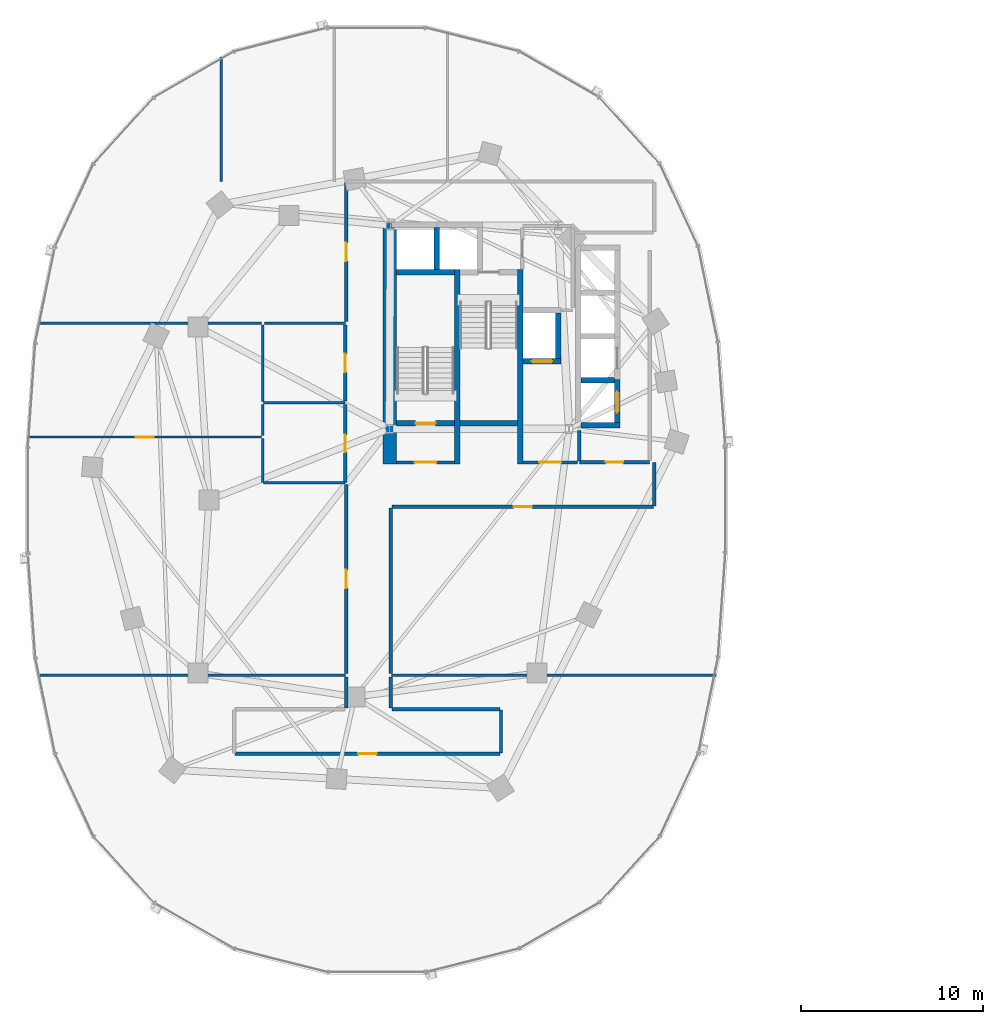
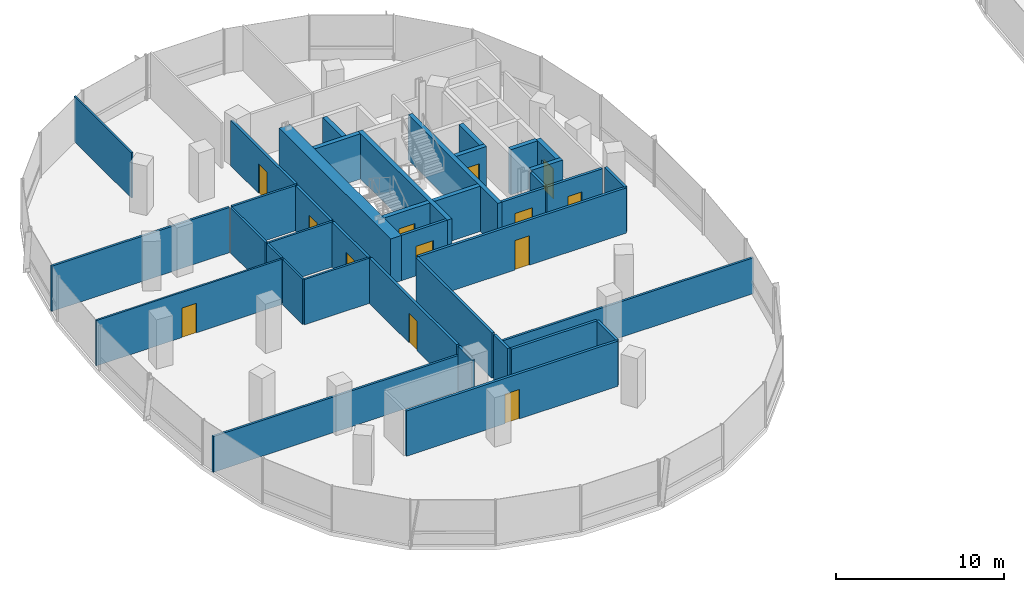
# One storey, part 11 of 21: 39 walls, 13 doors, 13 openings.
"""IFC4 building model written with IfcOpenShell, lengths in metres."""

from ifc_helpers import new_model, si_unit, direction, frame, frame_2d, origin, place, context, subcontext, project, spatial, rectangle, extrude, material, layer, layer_set, type_object, element, fill, save


model = new_model("IFC4")

# Units and contexts
model_context = context("Model", 3, precision=1e-05, world=origin(), true_north=direction((0.0, 1.0)))
body_context = subcontext(model_context, "Body", "Model", "MODEL_VIEW")
ifc_project = project(units=[si_unit("LENGTHUNIT", "METRE"), si_unit("AREAUNIT", "SQUARE_METRE"), si_unit("VOLUMEUNIT", "CUBIC_METRE"), si_unit("PLANEANGLEUNIT", "RADIAN"), si_unit("MASSUNIT", "GRAM", prefix="KILO"), si_unit("THERMODYNAMICTEMPERATUREUNIT", "KELVIN"), si_unit("POWERUNIT", "WATT")], contexts=[model_context])

# Site, building, storey
site_placement = place(None, origin())
site = spatial("IfcSite", under=ifc_project, at=site_placement, CompositionType="ELEMENT")
building_placement = place(site_placement, origin())
building = spatial("IfcBuilding", under=site, at=building_placement, Name="Cundina Bronze Exchange", CompositionType="ELEMENT")
storey_placement = place(building_placement, frame((0.0, 0.0, 99.800048828125)))
storey = spatial("IfcBuildingStorey", under=building, at=storey_placement, Name="L25", CompositionType="ELEMENT", Elevation=99.800048828125)

# Wall
ifc_material_1 = material(Name="Gypsum Fireboard Partition EI120")
ifc_layer_1 = layer(ifc_material_1, 0.179931640625, Name="Gypsum Fireboard Partition EI120")
ifc_layer_set_1 = layer_set([ifc_layer_1], Name="Gypsum Fireboard Partition EI120")
wall_type_1 = type_object("IfcWallType", Name="WL-COR-180", PredefinedType="PARTITIONING", material=ifc_layer_set_1)
wall_1_placement = place(storey_placement, frame((-20.889892578125, 2.14990234375, 0.0), z_axis=(0.0, 0.0, 1.0), x_axis=(0.0, 1.0, 0.0)))
element("IfcWall", 1, at=wall_1_placement, inside=storey, type_object=wall_type_1, Name="L25 W Firefighting Lobby Side Wall", PredefinedType="PARTITIONING", context=body_context, shape_type="SweptSolid", body=[
    extrude(rectangle(XDim=1.650146484375, YDim=0.179931640625, at=frame_2d((0.8251953125, 0.0))), origin(), (0.0, 0.0, 1.0), 3.300048828125),
])

# Wall, opening, door
wall_2_placement = place(storey_placement, frame((-23.97998046875, 2.06005859375, 0.0), z_axis=(0.0, 0.0, 1.0), x_axis=(1.0, 0.0, 0.0)))
wall_2 = element("IfcWall", 2, at=wall_2_placement, inside=storey, type_object=wall_type_1, Name="L25 W Firefighting Lobby Exit Wall", PredefinedType="PARTITIONING", context=body_context, shape_type="SweptSolid", body=[
    extrude(rectangle(XDim=3.0, YDim=0.179931640625, at=frame_2d((1.5, 0.0))), origin(), (0.0, 0.0, 1.0), 3.300048828125),
])
opening_1_placement = place(wall_2_placement, frame((0.89990234375, 0.0, 0.0)))
opening_1 = element("IfcOpeningElement", 3, at=opening_1_placement, cuts=wall_2, Name="Opening DF-01", PredefinedType="OPENING", context=body_context, shape_type="SweptSolid", body=[
    extrude(rectangle(XDim=1.199951171875, YDim=2.14990234375, at=frame_2d((0.60009765625, 1.074951171875))), frame((0.0, 0.099853515625, 0.0), z_axis=(0.0, -1.0, 0.0), x_axis=(1.0, 0.0, 0.0)), (0.0, 0.0, 1.0), 0.199951171875),
])
ifc_material_2 = material(Name="Steel ASTM A36 Painted", Category="steel")
door_type_1 = type_object("IfcDoorType", Name="DR-FFL-1200", OperationType="NOTDEFINED", PredefinedType="DOOR", material=ifc_material_2)
door_1_placement = place(opening_1_placement, origin())
door_1 = element("IfcDoor", 4, at=door_1_placement, inside=storey, type_object=door_type_1, Name="L25 W Firefighting Lobby Door", OperationType="SINGLE_SWING_RIGHT", OverallHeight=2.14990234375, OverallWidth=1.199951171875, PredefinedType="DOOR", context=body_context, shape_type="SweptSolid", body=[
    extrude(rectangle(XDim=1.199951171875, YDim=2.14990234375, at=frame_2d((0.60009765625, 1.074951171875))), frame((0.0, 0.02490234375, 0.0), z_axis=(0.0, -1.0, 0.0), x_axis=(1.0, 0.0, 0.0)), (0.0, 0.0, 1.0), 0.050048828125),
])
fill(opening_1, door_1)

wall_3_placement = place(storey_placement, frame((-30.89990234375, 2.06005859375, 0.0), z_axis=(0.0, 0.0, 1.0), x_axis=(1.0, 0.0, 0.0)))
wall_3 = element("IfcWall", 5, at=wall_3_placement, inside=storey, type_object=wall_type_1, Name="L25 W Stair Vestibule Exit Wall", PredefinedType="PARTITIONING", context=body_context, shape_type="SweptSolid", body=[
    extrude(rectangle(XDim=3.159912109375, YDim=0.179931640625, at=frame_2d((1.580078125, 0.0))), origin(), (0.0, 0.0, 1.0), 3.300048828125),
])
opening_2_placement = place(wall_3_placement, frame((0.97998046875, 0.0, 0.0)))
opening_2 = element("IfcOpeningElement", 6, at=opening_2_placement, cuts=wall_3, Name="Opening DF-01", PredefinedType="OPENING", context=body_context, shape_type="SweptSolid", body=[
    extrude(rectangle(XDim=1.199951171875, YDim=2.14990234375, at=frame_2d((0.60009765625, 1.074951171875))), frame((0.0, 0.099853515625, 0.0), z_axis=(0.0, -1.0, 0.0), x_axis=(1.0, 0.0, 0.0)), (0.0, 0.0, 1.0), 0.199951171875),
])
door_2_placement = place(opening_2_placement, origin())
door_2 = element("IfcDoor", 7, at=door_2_placement, inside=storey, type_object=door_type_1, Name="L25 W Stair Vestibule Door", OperationType="SINGLE_SWING_LEFT", OverallHeight=2.14990234375, OverallWidth=1.199951171875, PredefinedType="DOOR", context=body_context, shape_type="SweptSolid", body=[
    extrude(rectangle(XDim=1.199951171875, YDim=2.14990234375, at=frame_2d((0.60009765625, 1.074951171875))), frame((0.0, 0.02490234375, 0.0), z_axis=(0.0, -1.0, 0.0), x_axis=(1.0, 0.0, 0.0)), (0.0, 0.0, 1.0), 0.050048828125),
])
fill(opening_2, door_2)

wall_4_placement = place(storey_placement, frame((-20.8701171875, 2.070068359375, 0.0), z_axis=(0.0, 0.0, 1.0), x_axis=(1.0, 0.0, 0.0)))
wall_4 = element("IfcWall", 8, at=wall_4_placement, inside=storey, type_object=wall_type_1, Name="L25 Interior Partition 002", PredefinedType="PARTITIONING", context=body_context, shape_type="SweptSolid", body=[
    extrude(rectangle(XDim=3.830078125, YDim=0.179931640625, at=frame_2d((1.9150390625, 0.0))), origin(), (0.0, 0.0, 1.0), 3.300048828125),
])
opening_3_placement = place(wall_4_placement, frame((1.43994140625, 0.0, 0.0)))
opening_3 = element("IfcOpeningElement", 9, at=opening_3_placement, cuts=wall_4, Name="Opening DW-01", PredefinedType="OPENING", context=body_context, shape_type="SweptSolid", body=[
    extrude(rectangle(XDim=0.949951171875, YDim=2.10009765625, at=frame_2d((0.47509765625, 1.050048828125))), frame((0.0, 0.099853515625, 0.0), z_axis=(0.0, -1.0, 0.0), x_axis=(1.0, 0.0, 0.0)), (0.0, 0.0, 1.0), 0.199951171875),
])
ifc_material_3 = material(Name="Solid Andean Oak Timber Grade A", Category="wood")
door_type_2 = type_object("IfcDoorType", Name="DR-WC-950", OperationType="NOTDEFINED", PredefinedType="DOOR", material=ifc_material_3)
door_3_placement = place(opening_3_placement, origin())
door_3 = element("IfcDoor", 10, at=door_3_placement, inside=storey, type_object=door_type_2, Name="L25 Interior Door 002", OperationType="SINGLE_SWING_RIGHT", OverallHeight=2.10009765625, OverallWidth=0.949951171875, PredefinedType="DOOR", context=body_context, shape_type="SweptSolid", body=[
    extrude(rectangle(XDim=0.949951171875, YDim=2.10009765625, at=frame_2d((0.47509765625, 1.050048828125))), frame((0.0, 0.02490234375, 0.0), z_axis=(0.0, -1.0, 0.0), x_axis=(1.0, 0.0, 0.0)), (0.0, 0.0, 1.0), 0.050048828125),
])
fill(opening_3, door_3)

wall_5_placement = place(storey_placement, frame((-33.719970703125, 0.969970703125, 0.0), z_axis=(0.0, 0.0, 1.0), x_axis=(0.0, 1.0, 0.0)))
wall_5 = element("IfcWall", 11, at=wall_5_placement, inside=storey, type_object=wall_type_1, Name="L25 Interior Partition 012", PredefinedType="PARTITIONING", context=body_context, shape_type="SweptSolid", body=[
    extrude(rectangle(XDim=4.260009765625, YDim=0.179931640625, at=frame_2d((2.1298828125, 0.0))), origin(), (0.0, 0.0, 1.0), 3.300048828125),
])
opening_4_placement = place(wall_5_placement, frame((1.655029296875, 0.0, 0.0)))
opening_4 = element("IfcOpeningElement", 12, at=opening_4_placement, cuts=wall_5, Name="Opening DW-01", PredefinedType="OPENING", context=body_context, shape_type="SweptSolid", body=[
    extrude(rectangle(XDim=0.949951171875, YDim=2.10009765625, at=frame_2d((0.47509765625, 1.050048828125))), frame((0.0, 0.099853515625, 0.0), z_axis=(0.0, -1.0, 0.0), x_axis=(1.0, 0.0, 0.0)), (0.0, 0.0, 1.0), 0.199951171875),
])
door_4_placement = place(opening_4_placement, origin())
door_4 = element("IfcDoor", 13, at=door_4_placement, inside=storey, type_object=door_type_2, Name="L25 Interior Door 012", OperationType="SINGLE_SWING_LEFT", OverallHeight=2.10009765625, OverallWidth=0.949951171875, PredefinedType="DOOR", context=body_context, shape_type="SweptSolid", body=[
    extrude(rectangle(XDim=0.949951171875, YDim=2.10009765625, at=frame_2d((0.47509765625, 1.050048828125))), frame((0.0, 0.02490234375, 0.0), z_axis=(0.0, -1.0, 0.0), x_axis=(1.0, 0.0, 0.0)), (0.0, 0.0, 1.0), 0.050048828125),
])
fill(opening_4, door_4)

wall_6_placement = place(storey_placement, frame((-33.719970703125, 5.429931640625, 0.0), z_axis=(0.0, 0.0, 1.0), x_axis=(0.0, 1.0, 0.0)))
wall_6 = element("IfcWall", 14, at=wall_6_placement, inside=storey, type_object=wall_type_1, Name="L25 Interior Partition 013", PredefinedType="PARTITIONING", context=body_context, shape_type="SweptSolid", body=[
    extrude(rectangle(XDim=4.16015625, YDim=0.179931640625, at=frame_2d((2.080078125, 0.0))), origin(), (0.0, 0.0, 1.0), 3.300048828125),
])
opening_5_placement = place(wall_6_placement, frame((1.580078125, 0.0, 0.0)))
opening_5 = element("IfcOpeningElement", 15, at=opening_5_placement, cuts=wall_6, Name="Opening DO-01", PredefinedType="OPENING", context=body_context, shape_type="SweptSolid", body=[
    extrude(rectangle(XDim=1.0, YDim=2.14990234375, at=frame_2d((0.5, 1.074951171875))), frame((0.0, 0.099853515625, 0.0), z_axis=(0.0, -1.0, 0.0), x_axis=(1.0, 0.0, 0.0)), (0.0, 0.0, 1.0), 0.199951171875),
])
door_type_3 = type_object("IfcDoorType", Name="DR-OFF-1000", OperationType="NOTDEFINED", PredefinedType="DOOR", material=ifc_material_3)
door_5_placement = place(opening_5_placement, origin())
door_5 = element("IfcDoor", 16, at=door_5_placement, inside=storey, type_object=door_type_3, Name="L25 Interior Door 013", OperationType="SINGLE_SWING_RIGHT", OverallHeight=2.14990234375, OverallWidth=1.0, PredefinedType="DOOR", context=body_context, shape_type="SweptSolid", body=[
    extrude(rectangle(XDim=1.0, YDim=2.14990234375, at=frame_2d((0.5, 1.074951171875))), frame((0.0, 0.02490234375, 0.0), z_axis=(0.0, -1.0, 0.0), x_axis=(1.0, 0.0, 0.0)), (0.0, 0.0, 1.0), 0.050048828125),
])
fill(opening_5, door_5)

wall_7_placement = place(storey_placement, frame((-39.778564453125, -13.919921875, 0.0), z_axis=(0.0, 0.0, 1.0), x_axis=(1.0, 0.0, 0.0)))
wall_7 = element("IfcWall", 17, at=wall_7_placement, inside=storey, type_object=wall_type_1, Name="L25 Interior Partition 021", PredefinedType="PARTITIONING", context=body_context, shape_type="SweptSolid", body=[
    extrude(rectangle(XDim=14.55712890625, YDim=0.179931640625, at=frame_2d((7.278564453125, 0.0))), origin(), (0.0, 0.0, 1.0), 3.300048828125),
])
opening_6_placement = place(wall_7_placement, frame((6.778564453125, 0.0, 0.0)))
opening_6 = element("IfcOpeningElement", 18, at=opening_6_placement, cuts=wall_7, Name="Opening DO-01", PredefinedType="OPENING", context=body_context, shape_type="SweptSolid", body=[
    extrude(rectangle(XDim=1.0, YDim=2.14990234375, at=frame_2d((0.5, 1.074951171875))), frame((0.0, 0.099853515625, 0.0), z_axis=(0.0, -1.0, 0.0), x_axis=(1.0, 0.0, 0.0)), (0.0, 0.0, 1.0), 0.199951171875),
])
door_6_placement = place(opening_6_placement, origin())
door_6 = element("IfcDoor", 19, at=door_6_placement, inside=storey, type_object=door_type_3, Name="L25 Interior Door 021", OperationType="SINGLE_SWING_RIGHT", OverallHeight=2.14990234375, OverallWidth=1.0, PredefinedType="DOOR", context=body_context, shape_type="SweptSolid", body=[
    extrude(rectangle(XDim=1.0, YDim=2.14990234375, at=frame_2d((0.5, 1.074951171875))), frame((0.0, 0.02490234375, 0.0), z_axis=(0.0, -1.0, 0.0), x_axis=(1.0, 0.0, 0.0)), (0.0, 0.0, 1.0), 0.050048828125),
])
fill(opening_6, door_6)

# Walls
wall_8_placement = place(storey_placement, frame((-25.221435546875, -11.47998046875, 0.0), z_axis=(0.0, 0.0, 1.0), x_axis=(-1.0, 0.0, 0.0)))
element("IfcWall", 20, at=wall_8_placement, inside=storey, type_object=wall_type_1, Name="L25 Interior Partition 023", PredefinedType="PARTITIONING", context=body_context, shape_type="SweptSolid", body=[
    extrude(rectangle(XDim=5.928466796875, YDim=0.179931640625, at=frame_2d((2.96435546875, 0.0))), origin(), (0.0, 0.0, 1.0), 3.300048828125),
])
wall_9_placement = place(storey_placement, frame((-25.179931640625, -13.87841796875, 0.0), z_axis=(0.0, 0.0, 1.0), x_axis=(0.0, 1.0, 0.0)))
element("IfcWall", 21, at=wall_9_placement, inside=storey, type_object=wall_type_1, Name="L25 Interior Partition 025", PredefinedType="PARTITIONING", context=body_context, shape_type="SweptSolid", body=[
    extrude(rectangle(XDim=2.35693359375, YDim=0.179931640625, at=frame_2d((1.178466796875, 0.0))), origin(), (0.0, 0.0, 1.0), 3.300048828125),
])
for number, where, z_axis, x_axis, name in (
    (22, (-33.669921875, -9.7099609375, 0.0), (0.0, 0.0, 1.0), (0.0, -1.0, 0.0), "L25 Interior Partition 026"),
    (23, (-31.22998046875, -11.39990234375, 0.0), (0.0, 0.0, 1.0), (0.0, 1.0, 0.0), "L25 Interior Partition 027"),
):
    element("IfcWall", number, at=place(storey_placement, frame(where, z_axis=z_axis, x_axis=x_axis)), inside=storey, type_object=wall_type_1, Name=name, PredefinedType="PARTITIONING", context=body_context, shape_type="SweptSolid", body=[
        extrude(rectangle(XDim=1.68994140625, YDim=0.179931640625, at=frame_2d((0.844970703125, 0.0))), origin(), (0.0, 0.0, 1.0), 3.300048828125),
    ])

# Wall, opening, door
wall_10_placement = place(storey_placement, frame((-33.669921875, 0.858642578125, 0.0), z_axis=(0.0, 0.0, 1.0), x_axis=(0.0, -1.0, 0.0)))
wall_10 = element("IfcWall", 24, at=wall_10_placement, inside=storey, type_object=wall_type_1, Name="L25 Interior Partition 028", PredefinedType="PARTITIONING", context=body_context, shape_type="SweptSolid", body=[
    extrude(rectangle(XDim=10.388671875, YDim=0.179931640625, at=frame_2d((5.1943359375, 0.0))), origin(), (0.0, 0.0, 1.0), 3.300048828125),
])
opening_7_placement = place(wall_10_placement, frame((4.6943359375, 0.0, 0.0)))
opening_7 = element("IfcOpeningElement", 25, at=opening_7_placement, cuts=wall_10, Name="Opening DO-01", PredefinedType="OPENING", context=body_context, shape_type="SweptSolid", body=[
    extrude(rectangle(XDim=1.0, YDim=2.14990234375, at=frame_2d((0.5, 1.074951171875))), frame((0.0, 0.099853515625, 0.0), z_axis=(0.0, -1.0, 0.0), x_axis=(1.0, 0.0, 0.0)), (0.0, 0.0, 1.0), 0.199951171875),
])
door_7_placement = place(opening_7_placement, origin())
door_7 = element("IfcDoor", 26, at=door_7_placement, inside=storey, type_object=door_type_3, Name="L25 Interior Door 028", OperationType="SINGLE_SWING_RIGHT", OverallHeight=2.14990234375, OverallWidth=1.0, PredefinedType="DOOR", context=body_context, shape_type="SweptSolid", body=[
    extrude(rectangle(XDim=1.0, YDim=2.14990234375, at=frame_2d((0.5, 1.074951171875))), frame((0.0, 0.02490234375, 0.0), z_axis=(0.0, -1.0, 0.0), x_axis=(1.0, 0.0, 0.0)), (0.0, 0.0, 1.0), 0.050048828125),
])
fill(opening_7, door_7)

wall_11_placement = place(storey_placement, frame((-31.14990234375, -0.3701171875, 0.0), z_axis=(0.0, 0.0, 1.0), x_axis=(1.0, 0.0, 0.0)))
wall_11 = element("IfcWall", 27, at=wall_11_placement, inside=storey, type_object=wall_type_1, Name="L25 Interior Partition 029", PredefinedType="PARTITIONING", context=body_context, shape_type="SweptSolid", body=[
    extrude(rectangle(XDim=14.328369140625, YDim=0.179931640625, at=frame_2d((7.1640625, 0.0))), origin(), (0.0, 0.0, 1.0), 3.300048828125),
])
opening_8_placement = place(wall_11_placement, frame((6.664306640625, 0.0, 0.0)))
opening_8 = element("IfcOpeningElement", 28, at=opening_8_placement, cuts=wall_11, Name="Opening DO-01", PredefinedType="OPENING", context=body_context, shape_type="SweptSolid", body=[
    extrude(rectangle(XDim=1.0, YDim=2.14990234375, at=frame_2d((0.5, 1.074951171875))), frame((0.0, 0.099853515625, 0.0), z_axis=(0.0, -1.0, 0.0), x_axis=(1.0, 0.0, 0.0)), (0.0, 0.0, 1.0), 0.199951171875),
])
door_8_placement = place(opening_8_placement, origin())
door_8 = element("IfcDoor", 29, at=door_8_placement, inside=storey, type_object=door_type_3, Name="L25 Interior Door 029", OperationType="SINGLE_SWING_RIGHT", OverallHeight=2.14990234375, OverallWidth=1.0, PredefinedType="DOOR", context=body_context, shape_type="SweptSolid", body=[
    extrude(rectangle(XDim=1.0, YDim=2.14990234375, at=frame_2d((0.5, 1.074951171875))), frame((0.0, 0.02490234375, 0.0), z_axis=(0.0, -1.0, 0.0), x_axis=(1.0, 0.0, 0.0)), (0.0, 0.0, 1.0), 0.050048828125),
])
fill(opening_8, door_8)

# Walls
wall_12_placement = place(storey_placement, frame((-31.22998046875, -9.530029296875, 0.0), z_axis=(0.0, 0.0, 1.0), x_axis=(0.0, 1.0, 0.0)))
element("IfcWall", 30, at=wall_12_placement, inside=storey, type_object=wall_type_1, Name="L25 Interior Partition 031", PredefinedType="PARTITIONING", context=body_context, shape_type="SweptSolid", body=[
    extrude(rectangle(XDim=9.080078125, YDim=0.179931640625, at=frame_2d((4.5400390625, 0.0))), origin(), (0.0, 0.0, 1.0), 3.300048828125),
])
wall_13_placement = place(storey_placement, frame((-16.780029296875, -0.32861328125, 0.0), z_axis=(0.0, 0.0, 1.0), x_axis=(0.0, 1.0, 0.0)))
element("IfcWall", 31, at=wall_13_placement, inside=storey, type_object=wall_type_1, Name="L25 Interior Partition 034", PredefinedType="PARTITIONING", context=body_context, shape_type="SweptSolid", body=[
    extrude(rectangle(XDim=2.38720703125, YDim=0.179931640625, at=frame_2d((1.193603515625, 0.0))), origin(), (0.0, 0.0, 1.0), 3.300048828125),
])

# Wall, opening, door
wall_14_placement = place(storey_placement, frame((-33.669921875, 17.428466796875, 0.0), z_axis=(0.0, 0.0, 1.0), x_axis=(0.0, -1.0, 0.0)))
wall_14 = element("IfcWall", 32, at=wall_14_placement, inside=storey, type_object=wall_type_1, Name="L25 Interior Partition 035", PredefinedType="PARTITIONING", context=body_context, shape_type="SweptSolid", body=[
    extrude(rectangle(XDim=7.638427734375, YDim=0.179931640625, at=frame_2d((3.8193359375, 0.0))), origin(), (0.0, 0.0, 1.0), 3.300048828125),
])
opening_9_placement = place(wall_14_placement, frame((3.3193359375, 0.0, 0.0)))
opening_9 = element("IfcOpeningElement", 33, at=opening_9_placement, cuts=wall_14, Name="Opening DO-01", PredefinedType="OPENING", context=body_context, shape_type="SweptSolid", body=[
    extrude(rectangle(XDim=1.0, YDim=2.14990234375, at=frame_2d((0.5, 1.074951171875))), frame((0.0, 0.099853515625, 0.0), z_axis=(0.0, -1.0, 0.0), x_axis=(1.0, 0.0, 0.0)), (0.0, 0.0, 1.0), 0.199951171875),
])
door_9_placement = place(opening_9_placement, origin())
door_9 = element("IfcDoor", 34, at=door_9_placement, inside=storey, type_object=door_type_3, Name="L25 Interior Door 035", OperationType="SINGLE_SWING_RIGHT", OverallHeight=2.14990234375, OverallWidth=1.0, PredefinedType="DOOR", context=body_context, shape_type="SweptSolid", body=[
    extrude(rectangle(XDim=1.0, YDim=2.14990234375, at=frame_2d((0.5, 1.074951171875))), frame((0.0, 0.02490234375, 0.0), z_axis=(0.0, -1.0, 0.0), x_axis=(1.0, 0.0, 0.0)), (0.0, 0.0, 1.0), 0.050048828125),
])
fill(opening_9, door_9)

# Walls
ifc_material_4 = material(Name="Concrete C60/75", Category="concrete")
ifc_layer_2 = layer(ifc_material_4, 0.75, Name="Concrete C60/75", Category="concrete")
ifc_layer_set_2 = layer_set([ifc_layer_2], Name="Concrete C60/75")
wall_type_2 = type_object("IfcWallType", Name="WL-CORE-750", PredefinedType="SHEAR", material=ifc_layer_set_2)
wall_15_placement = place(storey_placement, frame((-31.27490234375, 1.969970703125, 0.0), z_axis=(0.0, 0.0, 1.0), x_axis=(0.0, 1.0, 0.0)))
element("IfcWall", 35, at=wall_15_placement, inside=storey, type_object=wall_type_2, Name="L25 W Primary Core Shear Spine Wall", PredefinedType="SHEAR", context=body_context, shape_type="SweptSolid", body=[
    extrude(rectangle(XDim=13.330078125, YDim=0.75, at=frame_2d((6.6650390625, 0.0))), origin(), (0.0, 0.0, 1.0), 3.300048828125),
])
ifc_material_5 = material(Name="Gypsum Acoustic Partition EI60")
ifc_layer_3 = layer(ifc_material_5, 0.125, Name="Gypsum Acoustic Partition EI60")
ifc_layer_set_3 = layer_set([ifc_layer_3], Name="Gypsum Acoustic Partition EI60")
wall_type_3 = type_object("IfcWallType", Name="WL-OFF-125", PredefinedType="PARTITIONING", material=ifc_layer_set_3)
wall_16_placement = place(storey_placement, frame((-40.52001953125, 17.469970703125, 0.0), z_axis=(0.0, 0.0, 1.0), x_axis=(0.0, 1.0, 0.0)))
element("IfcWall", 36, at=wall_16_placement, inside=storey, type_object=wall_type_3, Name="L25 Interior Partition 018", PredefinedType="PARTITIONING", context=body_context, shape_type="SweptSolid", body=[
    extrude(rectangle(XDim=6.830810546875, YDim=0.125, at=frame_2d((3.41552734375, 0.0))), origin(), (0.0, 0.0, 1.0), 3.300048828125),
])

# Wall, opening, door
wall_17_placement = place(storey_placement, frame((-38.320068359375, 3.449951171875, 0.0), z_axis=(0.0, 0.0, 1.0), x_axis=(-1.0, 0.0, 0.0)))
wall_17 = element("IfcWall", 37, at=wall_17_placement, inside=storey, type_object=wall_type_3, Name="L25 Interior Partition 037", PredefinedType="PARTITIONING", context=body_context, shape_type="SweptSolid", body=[
    extrude(rectangle(XDim=12.792724609375, YDim=0.125, at=frame_2d((6.396484375, 0.0))), origin(), (0.0, 0.0, 1.0), 3.300048828125),
])
opening_10_placement = place(wall_17_placement, frame((5.896484375, 0.0, 0.0)))
opening_10 = element("IfcOpeningElement", 38, at=opening_10_placement, cuts=wall_17, Name="Opening DO-01", PredefinedType="OPENING", context=body_context, shape_type="SweptSolid", body=[
    extrude(rectangle(XDim=1.0, YDim=2.14990234375, at=frame_2d((0.5, 1.074951171875))), frame((0.0, 0.072509765625, 0.0), z_axis=(0.0, -1.0, 0.0), x_axis=(1.0, 0.0, 0.0)), (0.0, 0.0, 1.0), 0.14501953125),
])
door_10_placement = place(opening_10_placement, origin())
door_10 = element("IfcDoor", 39, at=door_10_placement, inside=storey, type_object=door_type_3, Name="L25 Interior Door 037", OperationType="SINGLE_SWING_RIGHT", OverallHeight=2.14990234375, OverallWidth=1.0, PredefinedType="DOOR", context=body_context, shape_type="SweptSolid", body=[
    extrude(rectangle(XDim=1.0, YDim=2.14990234375, at=frame_2d((0.5, 1.074951171875))), frame((0.0, 0.02490234375, 0.0), z_axis=(0.0, -1.0, 0.0), x_axis=(1.0, 0.0, 0.0)), (0.0, 0.0, 1.0), 0.050048828125),
])
fill(opening_10, door_10)

# Walls
ifc_material_6 = material(Name="Concrete C50/60", Category="concrete")
ifc_layer_4 = layer(ifc_material_6, 0.300048828125, Name="Concrete C50/60", Category="concrete")
ifc_layer_set_4 = layer_set([ifc_layer_4], Name="Concrete C50/60")
wall_type_4 = type_object("IfcWallType", Name="WL-SHFT-300", PredefinedType="SHEAR", material=ifc_layer_set_4)
for number, where, z_axis, x_axis, name in (
    (40, (-27.590087890625, 1.969970703125, 0.0), (0.0, 0.0, 1.0), (0.0, 1.0, 0.0), "L25 W Stair Shaft Dividing Shear Wall"),
    (41, (-24.1298828125, 1.969970703125, 0.0), (0.0, 0.0, 1.0), (0.0, 1.0, 0.0), "L25 W Stair 2 East Shear Wall"),
):
    element("IfcWall", number, at=place(storey_placement, frame(where, z_axis=z_axis, x_axis=x_axis)), inside=storey, type_object=wall_type_4, Name=name, PredefinedType="SHEAR", context=body_context, shape_type="SweptSolid", body=[
        extrude(rectangle(XDim=10.679931640625, YDim=0.300048828125, at=frame_2d((5.33984375, 0.0))), origin(), (0.0, 0.0, 1.0), 3.300048828125),
    ])

# Wall, opening, door
wall_18_placement = place(storey_placement, frame((-30.89990234375, 4.199951171875, 0.0), z_axis=(0.0, 0.0, 1.0), x_axis=(1.0, 0.0, 0.0)))
wall_18 = element("IfcWall", 42, at=wall_18_placement, inside=storey, type_object=wall_type_4, Name="L25 Stair W1 Landing Wall", PredefinedType="SHEAR", context=body_context, shape_type="SweptSolid", body=[
    extrude(rectangle(XDim=3.159912109375, YDim=0.300048828125, at=frame_2d((1.580078125, 0.0))), origin(), (0.0, 0.0, 1.0), 3.300048828125),
])
opening_11_placement = place(wall_18_placement, frame((1.030029296875, 0.0, 0.0)))
opening_11 = element("IfcOpeningElement", 43, at=opening_11_placement, cuts=wall_18, Name="Opening DS-01", PredefinedType="OPENING", context=body_context, shape_type="SweptSolid", body=[
    extrude(rectangle(XDim=1.10009765625, YDim=2.14990234375, at=frame_2d((0.550048828125, 1.074951171875))), frame((0.0, 0.159912109375, 0.0), z_axis=(0.0, -1.0, 0.0), x_axis=(1.0, 0.0, 0.0)), (0.0, 0.0, 1.0), 0.320068359375),
])
door_type_4 = type_object("IfcDoorType", Name="DR-STR-1100", OperationType="NOTDEFINED", PredefinedType="DOOR", material=ifc_material_2)
door_11_placement = place(opening_11_placement, origin())
door_11 = element("IfcDoor", 44, at=door_11_placement, inside=storey, type_object=door_type_4, Name="L25 Smokeproof Stair W1 Door", OperationType="SINGLE_SWING_RIGHT", OverallHeight=2.14990234375, OverallWidth=1.10009765625, PredefinedType="DOOR", context=body_context, shape_type="SweptSolid", body=[
    extrude(rectangle(XDim=1.10009765625, YDim=2.14990234375, at=frame_2d((0.550048828125, 1.074951171875))), frame((0.0, 0.02490234375, 0.0), z_axis=(0.0, -1.0, 0.0), x_axis=(1.0, 0.0, 0.0)), (0.0, 0.0, 1.0), 0.050048828125),
])
fill(opening_11, door_11)

# Walls
for number, where, z_axis, x_axis, name in (
    (45, (-30.89990234375, 12.5, 0.0), (0.0, 0.0, 1.0), (1.0, 0.0, 0.0), "L25 Stair W1 Far Shaft Wall"),
    (46, (-27.43994140625, 4.199951171875, 0.0), (0.0, 0.0, 1.0), (1.0, 0.0, 0.0), "L25 Stair W2 Far Shaft Wall"),
):
    element("IfcWall", number, at=place(storey_placement, frame(where, z_axis=z_axis, x_axis=x_axis)), inside=storey, type_object=wall_type_4, Name=name, PredefinedType="SHEAR", context=body_context, shape_type="SweptSolid", body=[
        extrude(rectangle(XDim=3.159912109375, YDim=0.300048828125, at=frame_2d((1.580078125, 0.0))), origin(), (0.0, 0.0, 1.0), 3.300048828125),
    ])

# Wall, opening, door
wall_19_placement = place(storey_placement, frame((-23.97998046875, 7.60009765625, 0.0), z_axis=(0.0, 0.0, 1.0), x_axis=(1.0, 0.0, 0.0)))
wall_19 = element("IfcWall", 47, at=wall_19_placement, inside=storey, type_object=wall_type_4, Name="L25 FFL-W Hoistway Front Wall", PredefinedType="SHEAR", context=body_context, shape_type="SweptSolid", body=[
    extrude(rectangle(XDim=2.10009765625, YDim=0.300048828125, at=frame_2d((1.050048828125, 0.0))), origin(), (0.0, 0.0, 1.0), 3.300048828125),
])
opening_12_placement = place(wall_19_placement, frame((0.47509765625, 0.0, 0.0)))
opening_12 = element("IfcOpeningElement", 48, at=opening_12_placement, cuts=wall_19, Name="Opening LD-01", PredefinedType="OPENING", context=body_context, shape_type="SweptSolid", body=[
    extrude(rectangle(XDim=1.14990234375, YDim=2.199951171875, at=frame_2d((0.574951171875, 1.10009765625))), frame((0.0, 0.159912109375, 0.0), z_axis=(0.0, -1.0, 0.0), x_axis=(1.0, 0.0, 0.0)), (0.0, 0.0, 1.0), 0.320068359375),
])
door_type_5 = type_object("IfcDoorType", Name="DR-LND-1150", OperationType="NOTDEFINED", PredefinedType="TRAPDOOR", material=ifc_material_2)
door_12_placement = place(opening_12_placement, origin())
door_12 = element("IfcDoor", 49, at=door_12_placement, inside=storey, type_object=door_type_5, Name="L25 FFL-W Sliding Landing Door", OperationType="SLIDING_TO_LEFT", OverallHeight=2.199951171875, OverallWidth=1.14990234375, PredefinedType="TRAPDOOR", context=body_context, shape_type="SweptSolid", body=[
    extrude(rectangle(XDim=1.14990234375, YDim=2.199951171875, at=frame_2d((0.574951171875, 1.10009765625))), frame((0.0, 0.02490234375, 0.0), z_axis=(0.0, -1.0, 0.0), x_axis=(1.0, 0.0, 0.0)), (0.0, 0.0, 1.0), 0.050048828125),
])
fill(opening_12, door_12)

# Walls
wall_20_placement = place(storey_placement, frame((-22.030029296875, 7.75, 0.0), z_axis=(0.0, 0.0, 1.0), x_axis=(0.0, 1.0, 0.0)))
element("IfcWall", 50, at=wall_20_placement, inside=storey, type_object=wall_type_4, Name="L25 FFL-W Hoistway Side Wall", PredefinedType="SHEAR", context=body_context, shape_type="SweptSolid", body=[
    extrude(rectangle(XDim=2.5, YDim=0.300048828125, at=frame_2d((1.25, 0.0))), origin(), (0.0, 0.0, 1.0), 3.300048828125),
])
wall_21_placement = place(storey_placement, frame((-28.699951171875, 12.64990234375, 0.0), z_axis=(0.0, 0.0, 1.0), x_axis=(0.0, 1.0, 0.0)))
element("IfcWall", 51, at=wall_21_placement, inside=storey, type_object=wall_type_4, Name="L25 PH-W1 Hoistway Divider Wall", PredefinedType="SHEAR", context=body_context, shape_type="SweptSolid", body=[
    extrude(rectangle(XDim=2.300048828125, YDim=0.300048828125, at=frame_2d((1.14990234375, 0.0))), origin(), (0.0, 0.0, 1.0), 3.300048828125),
])
wall_22_placement = place(storey_placement, frame((-20.800048828125, 4.10009765625, 0.0), z_axis=(0.0, 0.0, 1.0), x_axis=(1.0, 0.0, 0.0)))
element("IfcWall", 52, at=wall_22_placement, inside=storey, type_object=wall_type_4, Name="L25 W Passenger Bank South Cap Wall", PredefinedType="SHEAR", context=body_context, shape_type="SweptSolid", body=[
    extrude(rectangle(XDim=2.150146484375, YDim=0.300048828125, at=frame_2d((1.0751953125, 0.0))), origin(), (0.0, 0.0, 1.0), 3.300048828125),
])
wall_23_placement = place(storey_placement, frame((-20.800048828125, 6.574951171875, 0.0), z_axis=(0.0, 0.0, 1.0), x_axis=(1.0, 0.0, 0.0)))
element("IfcWall", 53, at=wall_23_placement, inside=storey, type_object=wall_type_4, Name="L25 W Passenger Hoistway Divider 1", PredefinedType="SHEAR", context=body_context, shape_type="SweptSolid", body=[
    extrude(rectangle(XDim=1.85009765625, YDim=0.300048828125, at=frame_2d((0.925048828125, 0.0))), origin(), (0.0, 0.0, 1.0), 3.300048828125),
])

# Wall, opening, door
wall_24_placement = place(storey_placement, frame((-18.800048828125, 4.1298828125, 0.0), z_axis=(0.0, 0.0, 1.0), x_axis=(0.0, 1.0, 0.0)))
wall_24 = element("IfcWall", 54, at=wall_24_placement, inside=storey, type_object=wall_type_4, Name="L25 PL-W2 Hoistway Front Wall", PredefinedType="SHEAR", context=body_context, shape_type="SweptSolid", body=[
    extrude(rectangle(XDim=2.490234375, YDim=0.300048828125, at=frame_2d((1.2451171875, 0.0))), origin(), (0.0, 0.0, 1.0), 3.300048828125),
])
opening_13_placement = place(wall_24_placement, frame((0.669921875, 0.0, 0.0)))
opening_13 = element("IfcOpeningElement", 55, at=opening_13_placement, cuts=wall_24, Name="Opening LD-01", PredefinedType="OPENING", context=body_context, shape_type="SweptSolid", body=[
    extrude(rectangle(XDim=1.14990234375, YDim=2.199951171875, at=frame_2d((0.574951171875, 1.10009765625))), frame((0.0, 0.159912109375, 0.0), z_axis=(0.0, -1.0, 0.0), x_axis=(1.0, 0.0, 0.0)), (0.0, 0.0, 1.0), 0.320068359375),
])
door_13_placement = place(opening_13_placement, origin())
door_13 = element("IfcDoor", 56, at=door_13_placement, inside=storey, type_object=door_type_5, Name="L25 PL-W2 Sliding Landing Door", OperationType="SLIDING_TO_LEFT", OverallHeight=2.199951171875, OverallWidth=1.14990234375, PredefinedType="TRAPDOOR", context=body_context, shape_type="SweptSolid", body=[
    extrude(rectangle(XDim=1.14990234375, YDim=2.199951171875, at=frame_2d((0.574951171875, 1.10009765625))), frame((0.0, 0.02490234375, 0.0), z_axis=(0.0, -1.0, 0.0), x_axis=(1.0, 0.0, 0.0)), (0.0, 0.0, 1.0), 0.050048828125),
])
fill(opening_13, door_13)

# Walls
ifc_layer_5 = layer(ifc_material_5, 0.14990234375, Name="Gypsum Acoustic Partition EI60")
ifc_layer_set_5 = layer_set([ifc_layer_5], Name="Gypsum Acoustic Partition EI60")
wall_type_5 = type_object("IfcWallType", Name="WL-TEN-150", PredefinedType="PARTITIONING", material=ifc_layer_set_5)
wall_25_placement = place(storey_placement, frame((-50.60546875, -9.6201171875, 0.0), z_axis=(0.0, 0.0, 1.0), x_axis=(1.0, 0.0, 0.0)))
element("IfcWall", 57, at=wall_25_placement, inside=storey, type_object=wall_type_5, Name="L25 Interior Partition 014", PredefinedType="PARTITIONING", context=body_context, shape_type="SweptSolid", body=[
    extrude(rectangle(XDim=16.905517578125, YDim=0.14990234375, at=frame_2d((8.45263671875, 0.0))), origin(), (0.0, 0.0, 1.0), 2.60498046875),
])
wall_26_placement = place(storey_placement, frame((-31.199951171875, -9.6201171875, 0.0), z_axis=(0.0, 0.0, 1.0), x_axis=(1.0, 0.0, 0.0)))
element("IfcWall", 58, at=wall_26_placement, inside=storey, type_object=wall_type_5, Name="L25 Interior Partition 015", PredefinedType="PARTITIONING", context=body_context, shape_type="SweptSolid", body=[
    extrude(rectangle(XDim=17.805419921875, YDim=0.14990234375, at=frame_2d((8.90283203125, 0.0))), origin(), (0.0, 0.0, 1.0), 2.60498046875),
])
wall_27_placement = place(storey_placement, frame((-50.589111328125, 9.699951171875, 0.0), z_axis=(0.0, 0.0, 1.0), x_axis=(1.0, 0.0, 0.0)))
element("IfcWall", 59, at=wall_27_placement, inside=storey, type_object=wall_type_5, Name="L25 Interior Partition 016", PredefinedType="PARTITIONING", context=body_context, shape_type="SweptSolid", body=[
    extrude(rectangle(XDim=12.26416015625, YDim=0.14990234375, at=frame_2d((6.132080078125, 0.0))), origin(), (0.0, 0.0, 1.0), 3.300048828125),
])
wall_28_placement = place(storey_placement, frame((-38.155029296875, 9.699951171875, 0.0), z_axis=(0.0, 0.0, 1.0), x_axis=(1.0, 0.0, 0.0)))
element("IfcWall", 60, at=wall_28_placement, inside=storey, type_object=wall_type_5, Name="L25 Interior Partition 017", PredefinedType="PARTITIONING", context=body_context, shape_type="SweptSolid", body=[
    extrude(rectangle(XDim=4.455078125, YDim=0.14990234375, at=frame_2d((2.2275390625, 0.0))), origin(), (0.0, 0.0, 1.0), 3.300048828125),
])
ifc_material_7 = material(Name="Moisture-Resistant Masonry Block Grade M15", Category="masonry")
ifc_layer_6 = layer(ifc_material_7, 0.139892578125, Name="Moisture-Resistant Masonry Block Grade M15", Category="masonry")
ifc_layer_set_6 = layer_set([ifc_layer_6], Name="Moisture-Resistant Masonry Block Grade M15")
wall_type_6 = type_object("IfcWallType", Name="WL-WET-140", PredefinedType="PARTITIONING", material=ifc_layer_set_6)
wall_29_placement = place(storey_placement, frame((-38.239990234375, 0.969970703125, 0.0), z_axis=(0.0, 0.0, 1.0), x_axis=(0.0, 1.0, 0.0)))
element("IfcWall", 61, at=wall_29_placement, inside=storey, type_object=wall_type_6, Name="L25 Interior Partition 007", PredefinedType="PARTITIONING", context=body_context, shape_type="SweptSolid", body=[
    extrude(rectangle(XDim=2.39501953125, YDim=0.139892578125, at=frame_2d((1.197509765625, 0.0))), origin(), (0.0, 0.0, 1.0), 3.300048828125),
])
wall_30_placement = place(storey_placement, frame((-38.239990234375, 3.534912109375, 0.0), z_axis=(0.0, 0.0, 1.0), x_axis=(0.0, 1.0, 0.0)))
element("IfcWall", 62, at=wall_30_placement, inside=storey, type_object=wall_type_6, Name="L25 Interior Partition 008", PredefinedType="PARTITIONING", context=body_context, shape_type="SweptSolid", body=[
    extrude(rectangle(XDim=1.710205078125, YDim=0.139892578125, at=frame_2d((0.85498046875, 0.0))), origin(), (0.0, 0.0, 1.0), 3.300048828125),
])
wall_31_placement = place(storey_placement, frame((-38.239990234375, 5.4150390625, 0.0), z_axis=(0.0, 0.0, 1.0), x_axis=(0.0, 1.0, 0.0)))
element("IfcWall", 63, at=wall_31_placement, inside=storey, type_object=wall_type_6, Name="L25 Interior Partition 009", PredefinedType="PARTITIONING", context=body_context, shape_type="SweptSolid", body=[
    extrude(rectangle(XDim=4.175048828125, YDim=0.139892578125, at=frame_2d((2.08740234375, 0.0))), origin(), (0.0, 0.0, 1.0), 3.300048828125),
])
for number, where, z_axis, x_axis, name in (
    (64, (-38.219970703125, 0.949951171875, 0.0), (0.0, 0.0, 1.0), (1.0, 0.0, 0.0), "L25 Interior Partition 010"),
    (65, (-38.219970703125, 5.330078125, 0.0), (0.0, 0.0, 1.0), (1.0, 0.0, 0.0), "L25 Interior Partition 011"),
):
    element("IfcWall", number, at=place(storey_placement, frame(where, z_axis=z_axis, x_axis=x_axis)), inside=storey, type_object=wall_type_6, Name=name, PredefinedType="PARTITIONING", context=body_context, shape_type="SweptSolid", body=[
        extrude(rectangle(XDim=4.47998046875, YDim=0.139892578125, at=frame_2d((2.239990234375, 0.0))), origin(), (0.0, 0.0, 1.0), 3.300048828125),
    ])

save(model, "model.ifc")
